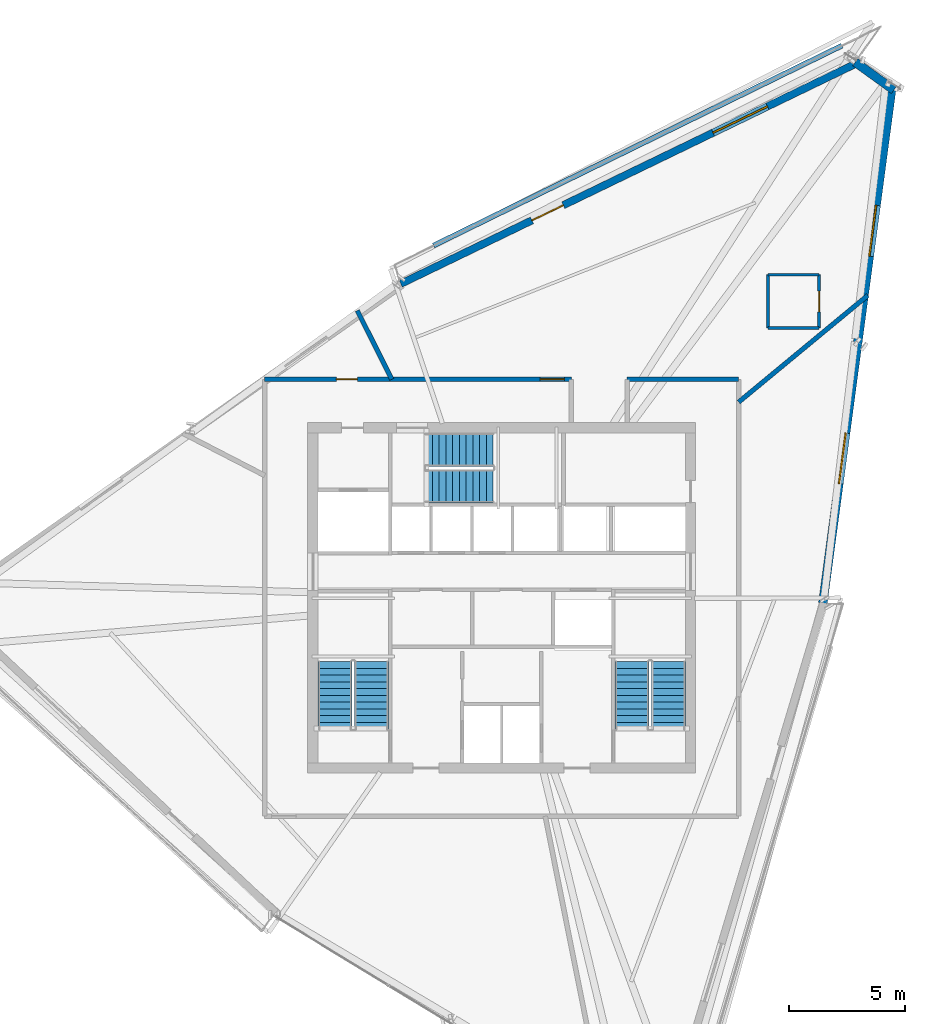
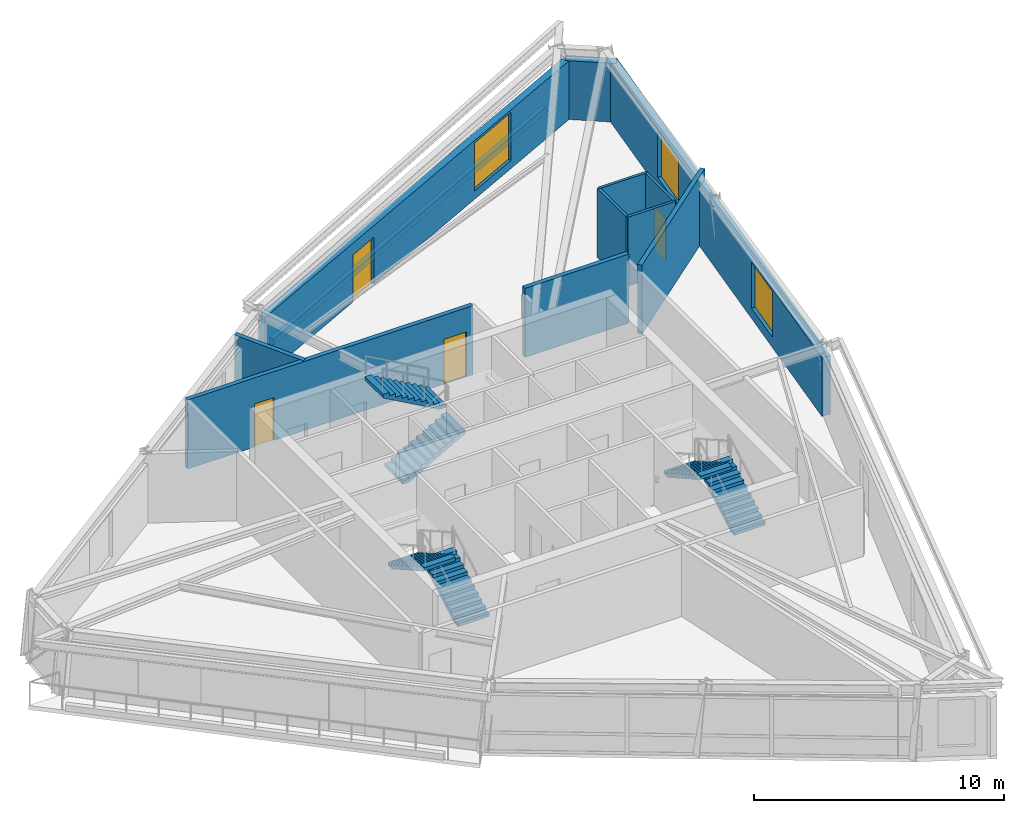
# One storey, part 11 of 14: 12 walls, 6 stair flights, 4 doors, 3 windows, 7 openings, 3 elements without a shape of their own.
"""IFC4 building model written with IfcOpenShell, lengths in metres."""

from ifc_helpers import new_model, si_unit, direction, frame, frame_2d, origin, place, context, subcontext, project, spatial, polyline, rectangle, outline, extrude, source, transform, mapped, material, layer, layer_set, type_object, type_shapes, element, fill, aggregate, save


model = new_model("IFC4")

# Units and contexts
model_context = context("Model", 3, precision=1e-05, world=origin(), true_north=direction((0.0, 1.0)))
body_context = subcontext(model_context, "Body", "Model", "MODEL_VIEW")
ifc_project = project(units=[si_unit("LENGTHUNIT", "METRE"), si_unit("AREAUNIT", "SQUARE_METRE"), si_unit("VOLUMEUNIT", "CUBIC_METRE"), si_unit("PLANEANGLEUNIT", "RADIAN"), si_unit("MASSUNIT", "GRAM", prefix="KILO")], contexts=[model_context])

# Site, building, storey
site_placement = place(None, origin())
site = spatial("IfcSite", under=ifc_project, at=site_placement, CompositionType="ELEMENT")
building_placement = place(site_placement, origin())
building = spatial("IfcBuilding", under=site, at=building_placement, Name="Olszyna Solenne Hotel", CompositionType="ELEMENT")
storey_placement = place(building_placement, frame((0.0, 0.0, 256.10009765625)))
storey = spatial("IfcBuildingStorey", under=building, at=storey_placement, Name="L68", CompositionType="ELEMENT", Elevation=256.10009765625)

# Wall, openings, door, window
ifc_material_1 = material(Name="Precast concrete C45/55", Category="concrete")
ifc_layer_1 = layer(ifc_material_1, 0.320068359375, Name="Precast concrete C45/55")
ifc_layer_set_1 = layer_set([ifc_layer_1], Name="Precast concrete C45/55")
wall_type_1 = type_object("IfcWallType", Name="WL-EX320", PredefinedType="SOLIDWALL", material=ifc_layer_set_1)
wall_1_placement = place(storey_placement, frame((33.655517578125, 40.11572265625, 0.0), z_axis=(0.0, 0.0, 1.0), x_axis=(0.900227808342, 0.43541921534, 0.0)))
wall_1 = element("IfcWall", 1, at=wall_1_placement, inside=storey, type_object=wall_type_1, Name="Exterior terracotta-precast frame wall WL-EX320 EW-L68-08", PredefinedType="SOLIDWALL", context=body_context, shape_type="SweptSolid", body=[
    extrude(rectangle(XDim=21.9306640625, YDim=0.320068359375, at=frame_2d((10.96533203125, 0.0))), origin(), (0.0, 0.0, 1.0), 2.871826171875),
])
opening_1_placement = place(wall_1_placement, frame((6.26806640625, 0.0, 0.0)))
opening_1 = element("IfcOpeningElement", 2, at=opening_1_placement, cuts=wall_1, Name="Opening LDG-L68-1", PredefinedType="OPENING", context=body_context, shape_type="SweptSolid", body=[
    extrude(rectangle(XDim=1.5, YDim=2.300048828125, at=frame_2d((0.75, 1.14990234375))), frame((0.0, 0.169921875, 0.0), z_axis=(0.0, -1.0, 0.0), x_axis=(1.0, 0.0, 0.0)), (0.0, 0.0, 1.0), 0.340087890625),
])
opening_2_placement = place(wall_1_placement, frame((14.928955078125, 0.0, 0.402099609375)))
opening_2 = element("IfcOpeningElement", 3, at=opening_2_placement, cuts=wall_1, Name="Opening WN-L68-453", PredefinedType="OPENING", context=body_context, shape_type="SweptSolid", body=[
    extrude(rectangle(XDim=2.60009765625, YDim=2.35009765625, at=frame_2d((1.300048828125, 1.175048828125))), frame((0.0, 0.169921875, 0.0), z_axis=(0.0, -1.0, 0.0), x_axis=(1.0, 0.0, 0.0)), (0.0, 0.0, 1.0), 0.340087890625),
])
ifc_material_2 = material(Name="Anodised bronze aluminium", Category="aluminium")
door_type_1 = type_object("IfcDoorType", Name="DR-LG2", OperationType="DOUBLE_DOOR_SINGLE_SWING", PredefinedType="DOOR", material=ifc_material_2)
shared_shape_1 = source(origin(), body_context, "Body", "SweptSolid", [
    extrude(rectangle(XDim=1.5, YDim=2.300048828125, at=frame_2d((0.75, 1.14990234375))), frame((0.0, 0.02490234375, 0.0), z_axis=(0.0, -1.0, 0.0), x_axis=(1.0, 0.0, 0.0)), (0.0, 0.0, 1.0), 0.050048828125),
])
type_shapes(door_type_1, [shared_shape_1])
door_1_placement = place(opening_1_placement, origin())
door_1 = element("IfcDoor", 4, at=door_1_placement, inside=storey, type_object=door_type_1, Name="Exterior loggia balcony door DR-LG2 LDG-L68-1", OperationType="DOUBLE_DOOR_SINGLE_SWING", OverallHeight=2.300048828125, OverallWidth=1.5, PredefinedType="DOOR", context=body_context, shape_type="MappedRepresentation", body=[
    mapped(shared_shape_1, transform((0.0, 0.0, 0.0), x_axis=(1.0, 0.0, 0.0), y_axis=(0.0, 1.0, 0.0), z_axis=(0.0, 0.0, 1.0), scale=1.0)),
])
fill(opening_1, door_1)
ifc_material_3 = material(Name="Low-E triple glazing", Category="glass")
window_type_1 = type_object("IfcWindowType", Name="WN-ST1", PartitioningType="SINGLE_PANEL", PredefinedType="WINDOW", material=ifc_material_3)
shared_shape_2 = source(origin(), body_context, "Body", "SweptSolid", [
    extrude(rectangle(XDim=2.60009765625, YDim=2.35009765625, at=frame_2d((1.300048828125, 1.175048828125))), frame((0.0, 0.030029296875, 0.0), z_axis=(0.0, -1.0, 0.0), x_axis=(1.0, 0.0, 0.0)), (0.0, 0.0, 1.0), 0.06005859375),
])
type_shapes(window_type_1, [shared_shape_2])
window_1_placement = place(opening_2_placement, origin())
window_1 = element("IfcWindow", 5, at=window_1_placement, inside=storey, type_object=window_type_1, Name="Loggia room window WN-ST1 WN-L68-453", OverallHeight=2.35009765625, OverallWidth=2.60009765625, PartitioningType="SINGLE_PANEL", PredefinedType="WINDOW", context=body_context, shape_type="MappedRepresentation", body=[
    mapped(shared_shape_2, transform((0.0, 0.0, 0.0), x_axis=(1.0, 0.0, 0.0), y_axis=(0.0, 1.0, 0.0), z_axis=(0.0, 0.0, 1.0), scale=1.0)),
])
fill(opening_2, window_1)

# Wall
ifc_material_4 = material(Name="Terracotta cladding on precast concrete C45/55", Category="masonry")
ifc_layer_2 = layer(ifc_material_4, 0.3798828125, Name="Terracotta cladding on precast concrete C45/55")
ifc_layer_set_2 = layer_set([ifc_layer_2], Name="Terracotta cladding on precast concrete C45/55")
wall_type_2 = type_object("IfcWallType", Name="WL-EX380", PredefinedType="SOLIDWALL", material=ifc_layer_set_2)
wall_2_placement = place(storey_placement, frame((53.21728515625, 49.65478515625, 0.0), z_axis=(0.0, 0.0, 1.0), x_axis=(0.810559910153, -0.585655728267, 0.0)))
element("IfcWall", 6, at=wall_2_placement, inside=storey, type_object=wall_type_2, Name="Exterior terracotta-precast frame wall WL-EX380 EW-L68-09", PredefinedType="SOLIDWALL", context=body_context, shape_type="SweptSolid", body=[
    extrude(rectangle(XDim=2.050537109375, YDim=0.3798828125, at=frame_2d((1.025390625, 0.0))), origin(), (0.0, 0.0, 1.0), 2.871826171875),
])

# Wall, openings, windows
wall_3_placement = place(storey_placement, frame((54.802490234375, 48.633056640625, 0.0), z_axis=(0.0, 0.0, 1.0), x_axis=(-0.132568870199, -0.991173796392, 0.0)))
wall_3 = element("IfcWall", 7, at=wall_3_placement, inside=storey, type_object=wall_type_2, Name="Exterior terracotta-precast frame wall WL-EX380 EW-L68-10", PredefinedType="SOLIDWALL", context=body_context, shape_type="SweptSolid", body=[
    extrude(rectangle(XDim=22.45849609375, YDim=0.3798828125, at=frame_2d((11.229248046875, 0.0))), origin(), (0.0, 0.0, 1.0), 2.871826171875),
])
opening_3_placement = place(wall_3_placement, frame((5.18798828125, 0.0, 0.501953125)))
opening_3 = element("IfcOpeningElement", 8, at=opening_3_placement, cuts=wall_3, Name="Opening WN-L68-454", PredefinedType="OPENING", context=body_context, shape_type="SweptSolid", body=[
    extrude(rectangle(XDim=2.199951171875, YDim=2.25, at=frame_2d((1.10009765625, 1.125))), frame((0.0, 0.199951171875, 0.0), z_axis=(0.0, -1.0, 0.0), x_axis=(1.0, 0.0, 0.0)), (0.0, 0.0, 1.0), 0.39990234375),
])
opening_4_placement = place(wall_3_placement, frame((15.070068359375, 0.0, 0.501953125)))
opening_4 = element("IfcOpeningElement", 9, at=opening_4_placement, cuts=wall_3, Name="Opening WN-L68-455", PredefinedType="OPENING", context=body_context, shape_type="SweptSolid", body=[
    extrude(rectangle(XDim=2.199951171875, YDim=2.25, at=frame_2d((1.10009765625, 1.125))), frame((0.0, 0.199951171875, 0.0), z_axis=(0.0, -1.0, 0.0), x_axis=(1.0, 0.0, 0.0)), (0.0, 0.0, 1.0), 0.39990234375),
])
window_type_2 = type_object("IfcWindowType", Name="WN-HT2", PartitioningType="SINGLE_PANEL", PredefinedType="WINDOW", material=ifc_material_3)
shared_shape_3 = source(origin(), body_context, "Body", "SweptSolid", [
    extrude(rectangle(XDim=2.199951171875, YDim=2.25, at=frame_2d((1.10009765625, 1.125))), frame((0.0, 0.030029296875, 0.0), z_axis=(0.0, -1.0, 0.0), x_axis=(1.0, 0.0, 0.0)), (0.0, 0.0, 1.0), 0.06005859375),
])
type_shapes(window_type_2, [shared_shape_3])
window_2_placement = place(opening_3_placement, origin())
window_2 = element("IfcWindow", 10, at=window_2_placement, inside=storey, type_object=window_type_2, Name="Exterior facade window WN-HT2 WN-L68-454", OverallHeight=2.25, OverallWidth=2.199951171875, PartitioningType="SINGLE_PANEL", PredefinedType="WINDOW", context=body_context, shape_type="MappedRepresentation", body=[
    mapped(shared_shape_3, transform((0.0, 0.0, 0.0), x_axis=(1.0, 0.0, 0.0), y_axis=(0.0, 1.0, 0.0), z_axis=(0.0, 0.0, 1.0), scale=1.0)),
])
fill(opening_3, window_2)
window_3_placement = place(opening_4_placement, origin())
window_3 = element("IfcWindow", 11, at=window_3_placement, inside=storey, type_object=window_type_2, Name="Exterior facade window WN-HT2 WN-L68-455", OverallHeight=2.25, OverallWidth=2.199951171875, PartitioningType="SINGLE_PANEL", PredefinedType="WINDOW", context=body_context, shape_type="MappedRepresentation", body=[
    mapped(shared_shape_3, transform((0.0, 0.0, 0.0), x_axis=(1.0, 0.0, 0.0), y_axis=(0.0, 1.0, 0.0), z_axis=(0.0, 0.0, 1.0), scale=1.0)),
])
fill(opening_4, window_3)

# Wall
ifc_layer_3 = layer(ifc_material_1, 0.219970703125, Name="Precast concrete C45/55")
ifc_layer_set_3 = layer_set([ifc_layer_3], Name="Precast concrete C45/55")
wall_type_3 = type_object("IfcWallType", Name="WL-PR220", PredefinedType="PARAPET", material=ifc_layer_set_3)
wall_4_placement = place(storey_placement, frame((52.638916015625, 50.365234375, 0.0), z_axis=(0.0, 0.0, 1.0), x_axis=(-0.89814586726, -0.439697624652, 0.0)))
element("IfcWall", 12, at=wall_4_placement, inside=storey, type_object=wall_type_3, Name="Loggia balcony precast kerb PR-L68-LG1", PredefinedType="PARAPET", context=body_context, shape_type="SweptSolid", body=[
    extrude(rectangle(XDim=19.569580078125, YDim=0.219970703125, at=frame_2d((9.78466796875, 0.0))), origin(), (0.0, 0.0, 1.0), 0.2998046875),
])

# Wall, opening, door
ifc_material_5 = material(Name="Acoustic gypsum partition", Category="gypsum")
ifc_layer_4 = layer(ifc_material_5, 0.125, Name="Acoustic gypsum partition")
ifc_layer_set_4 = layer_set([ifc_layer_4], Name="Acoustic gypsum partition")
wall_type_4 = type_object("IfcWallType", Name="WL-PT125", PredefinedType="PARTITIONING", material=ifc_layer_set_4)
wall_5_placement = place(storey_placement, frame((51.659912109375, 38.205078125, 0.0), z_axis=(0.0, 0.0, 1.0), x_axis=(0.0, 1.0, 0.0)))
wall_5 = element("IfcWall", 13, at=wall_5_placement, inside=storey, type_object=wall_type_4, Name="Interior acoustic partition WL-PT125 PW-L68-3793", PredefinedType="PARTITIONING", context=body_context, shape_type="SweptSolid", body=[
    extrude(rectangle(XDim=2.2998046875, YDim=0.125, at=frame_2d((1.14990234375, 0.0))), origin(), (0.0, 0.0, 1.0), 3.3798828125),
])
opening_5_placement = place(wall_5_placement, frame((0.699951171875, 0.0, 0.0)))
opening_5 = element("IfcOpeningElement", 14, at=opening_5_placement, cuts=wall_5, Name="Opening DR-L68-0926", PredefinedType="OPENING", context=body_context, shape_type="SweptSolid", body=[
    extrude(rectangle(XDim=0.89990234375, YDim=2.10009765625, at=frame_2d((0.449951171875, 1.050048828125))), frame((0.0, 0.072509765625, 0.0), z_axis=(0.0, -1.0, 0.0), x_axis=(1.0, 0.0, 0.0)), (0.0, 0.0, 1.0), 0.14501953125),
])
ifc_material_6 = material(Name="Timber hardwood", Category="wood")
door_type_2 = type_object("IfcDoorType", Name="DR-WC1", OperationType="NOTDEFINED", PredefinedType="DOOR", material=ifc_material_6)
shared_shape_4 = source(origin(), body_context, "Body", "SweptSolid", [
    extrude(rectangle(XDim=0.89990234375, YDim=2.10009765625, at=frame_2d((0.449951171875, 1.050048828125))), frame((0.0, 0.02490234375, 0.0), z_axis=(0.0, -1.0, 0.0), x_axis=(1.0, 0.0, 0.0)), (0.0, 0.0, 1.0), 0.050048828125),
])
type_shapes(door_type_2, [shared_shape_4])
door_2_placement = place(opening_5_placement, origin())
door_2 = element("IfcDoor", 15, at=door_2_placement, inside=storey, type_object=door_type_2, Name="En-Suite Bathroom Door DR-L68-0926", OperationType="SINGLE_SWING_LEFT", OverallHeight=2.10009765625, OverallWidth=0.89990234375, PredefinedType="DOOR", context=body_context, shape_type="MappedRepresentation", body=[
    mapped(shared_shape_4, transform((0.0, 0.0, 0.0), x_axis=(1.0, 0.0, 0.0), y_axis=(0.0, 1.0, 0.0), z_axis=(0.0, 0.0, 1.0), scale=1.0)),
])
fill(opening_5, door_2)

# Walls
wall_6_placement = place(storey_placement, frame((51.659912109375, 40.5048828125, 0.0), z_axis=(0.0, 0.0, 1.0), x_axis=(-1.0, 0.0, 0.0)))
element("IfcWall", 16, at=wall_6_placement, inside=storey, type_object=wall_type_4, Name="Interior acoustic partition WL-PT125 PW-L68-3794", PredefinedType="PARTITIONING", context=body_context, shape_type="SweptSolid", body=[
    extrude(rectangle(XDim=2.199951171875, YDim=0.125, at=frame_2d((1.10009765625, 0.0))), origin(), (0.0, 0.0, 1.0), 3.3798828125),
])
wall_7_placement = place(storey_placement, frame((49.4599609375, 40.5048828125, 0.0), z_axis=(0.0, 0.0, 1.0), x_axis=(0.0, -1.0, 0.0)))
element("IfcWall", 17, at=wall_7_placement, inside=storey, type_object=wall_type_4, Name="Interior acoustic partition WL-PT125 PW-L68-3795", PredefinedType="PARTITIONING", context=body_context, shape_type="SweptSolid", body=[
    extrude(rectangle(XDim=2.2998046875, YDim=0.125, at=frame_2d((1.14990234375, 0.0))), origin(), (0.0, 0.0, 1.0), 3.3798828125),
])
wall_8_placement = place(storey_placement, frame((49.4599609375, 38.205078125, 0.0), z_axis=(0.0, 0.0, 1.0), x_axis=(1.0, 0.0, 0.0)))
element("IfcWall", 18, at=wall_8_placement, inside=storey, type_object=wall_type_4, Name="Interior acoustic partition WL-PT125 PW-L68-3796", PredefinedType="PARTITIONING", context=body_context, shape_type="SweptSolid", body=[
    extrude(rectangle(XDim=2.199951171875, YDim=0.125, at=frame_2d((1.10009765625, 0.0))), origin(), (0.0, 0.0, 1.0), 3.3798828125),
])
ifc_layer_5 = layer(ifc_material_5, 0.199951171875, Name="Acoustic gypsum partition")
ifc_layer_set_5 = layer_set([ifc_layer_5], Name="Acoustic gypsum partition")
wall_type_5 = type_object("IfcWallType", Name="WL-PT200", PredefinedType="PARTITIONING", material=ifc_layer_set_5)
wall_9_placement = place(storey_placement, frame((48.199951171875, 35.025390625, 0.0), z_axis=(0.0, 0.0, 1.0), x_axis=(0.77099284028, 0.636843811493, 0.0)))
element("IfcWall", 19, at=wall_9_placement, inside=storey, type_object=wall_type_5, Name="Interior acoustic partition WL-PT200 PW-L68-3791", PredefinedType="PARTITIONING", context=body_context, shape_type="SweptSolid", body=[
    extrude(rectangle(XDim=7.208740234375, YDim=0.199951171875, at=frame_2d((3.6044921875, 0.0))), origin(), (0.0, 0.0, 1.0), 3.3798828125),
])
wall_10_placement = place(storey_placement, frame((33.272216796875, 36.0, 0.0), z_axis=(0.0, 0.0, 1.0), x_axis=(-0.449277368576, 0.893392324841, 0.0)))
element("IfcWall", 20, at=wall_10_placement, inside=storey, type_object=wall_type_5, Name="Interior acoustic partition WL-PT200 PW-L68-3792", PredefinedType="PARTITIONING", context=body_context, shape_type="SweptSolid", body=[
    extrude(rectangle(XDim=3.310546875, YDim=0.199951171875, at=frame_2d((1.6552734375, 0.0))), origin(), (0.0, 0.0, 1.0), 3.3798828125),
])

# Wall, openings, doors
wall_11_placement = place(storey_placement, frame((27.800048828125, 36.0, 0.0), z_axis=(0.0, 0.0, 1.0), x_axis=(1.0, 0.0, 0.0)))
wall_11 = element("IfcWall", 21, at=wall_11_placement, inside=storey, type_object=wall_type_5, Name="Interior acoustic partition WL-PT200 PW-L68-3799", PredefinedType="PARTITIONING", context=body_context, shape_type="SweptSolid", body=[
    extrude(rectangle(XDim=13.199951171875, YDim=0.199951171875, at=frame_2d((6.60009765625, 0.0))), origin(), (0.0, 0.0, 1.0), 3.3798828125),
])
opening_6_placement = place(wall_11_placement, frame((11.85009765625, 0.0, 0.0)))
opening_6 = element("IfcOpeningElement", 22, at=opening_6_placement, cuts=wall_11, Name="Opening DR-L68-0928", PredefinedType="OPENING", context=body_context, shape_type="SweptSolid", body=[
    extrude(rectangle(XDim=1.050048828125, YDim=2.199951171875, at=frame_2d((0.52490234375, 1.10009765625))), frame((0.0, 0.10986328125, 0.0), z_axis=(0.0, -1.0, 0.0), x_axis=(1.0, 0.0, 0.0)), (0.0, 0.0, 1.0), 0.219970703125),
])
opening_7_placement = place(wall_11_placement, frame((3.0830078125, 0.0, 0.0)))
opening_7 = element("IfcOpeningElement", 23, at=opening_7_placement, cuts=wall_11, Name="Opening DR-L68-0929", PredefinedType="OPENING", context=body_context, shape_type="SweptSolid", body=[
    extrude(rectangle(XDim=0.89990234375, YDim=2.10009765625, at=frame_2d((0.449951171875, 1.050048828125))), frame((0.0, 0.10986328125, 0.0), z_axis=(0.0, -1.0, 0.0), x_axis=(1.0, 0.0, 0.0)), (0.0, 0.0, 1.0), 0.219970703125),
])
door_3_placement = place(opening_7_placement, origin())
door_3 = element("IfcDoor", 24, at=door_3_placement, inside=storey, type_object=door_type_2, Name="Accessible Public WC Entrance Door DR-L68-0929", OperationType="SINGLE_SWING_RIGHT", OverallHeight=2.10009765625, OverallWidth=0.89990234375, PredefinedType="DOOR", context=body_context, shape_type="MappedRepresentation", body=[
    mapped(shared_shape_4, transform((0.0, 0.0, 0.0), x_axis=(1.0, 0.0, 0.0), y_axis=(0.0, 1.0, 0.0), z_axis=(0.0, 0.0, 1.0), scale=1.0)),
])
fill(opening_7, door_3)
door_type_3 = type_object("IfcDoorType", Name="DR-RM2", OperationType="NOTDEFINED", PredefinedType="DOOR", material=ifc_material_6)
shared_shape_5 = source(origin(), body_context, "Body", "SweptSolid", [
    extrude(rectangle(XDim=1.050048828125, YDim=2.199951171875, at=frame_2d((0.52490234375, 1.10009765625))), frame((0.0, 0.02490234375, 0.0), z_axis=(0.0, -1.0, 0.0), x_axis=(1.0, 0.0, 0.0)), (0.0, 0.0, 1.0), 0.050048828125),
])
type_shapes(door_type_3, [shared_shape_5])
door_4_placement = place(opening_6_placement, origin())
door_4 = element("IfcDoor", 25, at=door_4_placement, inside=storey, type_object=door_type_3, Name="Corner Panorama Suite Entrance Door DR-L68-0928", OperationType="SINGLE_SWING_LEFT", OverallHeight=2.199951171875, OverallWidth=1.050048828125, PredefinedType="DOOR", context=body_context, shape_type="MappedRepresentation", body=[
    mapped(shared_shape_5, transform((0.0, 0.0, 0.0), x_axis=(1.0, 0.0, 0.0), y_axis=(0.0, 1.0, 0.0), z_axis=(0.0, 0.0, 1.0), scale=1.0)),
])
fill(opening_6, door_4)

# Wall
wall_12_placement = place(storey_placement, frame((43.39990234375, 36.0, 0.0), z_axis=(0.0, 0.0, 1.0), x_axis=(1.0, 0.0, 0.0)))
element("IfcWall", 26, at=wall_12_placement, inside=storey, type_object=wall_type_5, Name="Interior acoustic partition WL-PT200 PW-L68-3801", PredefinedType="PARTITIONING", context=body_context, shape_type="SweptSolid", body=[
    extrude(rectangle(XDim=4.800048828125, YDim=0.199951171875, at=frame_2d((2.39990234375, 0.0))), origin(), (0.0, 0.0, 1.0), 3.3798828125),
])

# Stair, stair flights
ifc_material_7 = material(Name="Concrete C40/50", Category="concrete")
stair_type = type_object("IfcStairType", Name="STR-C1", PredefinedType="TWO_QUARTER_WINDING_STAIR", material=ifc_material_7)
stair_1_placement = place(storey_placement, origin())
stair_1 = element("IfcStair", 27, at=stair_1_placement, inside=storey, type_object=stair_type, Name="L68 ST1", PredefinedType="TWO_QUARTER_WINDING_STAIR")
stair_flight_type = type_object("IfcStairFlightType", Name="FLT-C1", PredefinedType="STRAIGHT", material=ifc_material_7)
stair_flight_1_placement = place(storey_placement, frame((32.39501953125, 20.949951171875, 0.0), z_axis=(0.0, 0.0, 1.0), x_axis=(0.0, 1.0, 0.0)))
stair_flight_1 = element("IfcStairFlight", 28, at=stair_flight_1_placement, type_object=stair_flight_type, Name="ST1 flight 1", NumberOfRisers=11, NumberOfTreads=10, PredefinedType="STRAIGHT", RiserHeight=0.163636364, TreadLength=0.29, context=body_context, shape_type="SweptSolid", body=[
    extrude(outline(polyline([(0.0, 0.0), (0.0, 0.16357421875), (0.2900390625, 0.16357421875), (0.2900390625, 0.327392578125), (0.580078125, 0.327392578125), (0.580078125, 0.490966796875), (0.8701171875, 0.490966796875), (0.8701171875, 0.654541015625), (1.159912109375, 0.654541015625), (1.159912109375, 0.818115234375), (1.449951171875, 0.818115234375), (1.449951171875, 0.98193359375), (1.739990234375, 0.98193359375), (1.739990234375, 1.1455078125), (2.030029296875, 1.1455078125), (2.030029296875, 1.30908203125), (2.320068359375, 1.30908203125), (2.320068359375, 1.47265625), (2.610107421875, 1.47265625), (2.610107421875, 1.636474609375), (2.89990234375, 1.636474609375), (2.89990234375, 1.800048828125), (2.89990234375, 1.46435546875), (0.304931640625, 0.0), (0.0, 0.0)])), frame((0.0, 0.72509765625, 0.0), z_axis=(0.0, -1.0, 0.0), x_axis=(1.0, 0.0, 0.0)), (0.0, 0.0, 1.0), 1.449951171875),
])
stair_flight_2_placement = place(storey_placement, frame((30.824951171875, 23.85009765625, 1.7998046875), z_axis=(0.0, 0.0, 1.0), x_axis=(0.0, -1.0, 0.0)))
stair_flight_2 = element("IfcStairFlight", 29, at=stair_flight_2_placement, type_object=stair_flight_type, Name="ST1 flight 2", NumberOfRisers=11, NumberOfTreads=10, PredefinedType="STRAIGHT", RiserHeight=0.163636364, TreadLength=0.29, context=body_context, shape_type="SweptSolid", body=[
    extrude(outline(polyline([(0.0, 0.0), (0.0, 0.16357421875), (0.2900390625, 0.16357421875), (0.2900390625, 0.327392578125), (0.580078125, 0.327392578125), (0.580078125, 0.490966796875), (0.8701171875, 0.490966796875), (0.8701171875, 0.654541015625), (1.159912109375, 0.654541015625), (1.159912109375, 0.818115234375), (1.449951171875, 0.818115234375), (1.449951171875, 0.98193359375), (1.739990234375, 0.98193359375), (1.739990234375, 1.1455078125), (2.030029296875, 1.1455078125), (2.030029296875, 1.30908203125), (2.320068359375, 1.30908203125), (2.320068359375, 1.47265625), (2.610107421875, 1.47265625), (2.610107421875, 1.636474609375), (2.89990234375, 1.636474609375), (2.89990234375, 1.800048828125), (2.89990234375, 1.46435546875), (0.304931640625, 0.0), (0.0, 0.0)])), frame((0.0, 0.72509765625, 0.0), z_axis=(0.0, -1.0, 0.0), x_axis=(1.0, 0.0, 0.0)), (0.0, 0.0, 1.0), 1.449951171875),
])
aggregate(stair_1, [stair_flight_1, stair_flight_2])

stair_2_placement = place(storey_placement, origin())
stair_2 = element("IfcStair", 30, at=stair_2_placement, inside=storey, type_object=stair_type, Name="L68 ST2", PredefinedType="TWO_QUARTER_WINDING_STAIR")
stair_flight_3_placement = place(storey_placement, frame((45.175048828125, 20.949951171875, 0.0), z_axis=(0.0, 0.0, 1.0), x_axis=(0.0, 1.0, 0.0)))
stair_flight_3 = element("IfcStairFlight", 31, at=stair_flight_3_placement, type_object=stair_flight_type, Name="ST2 flight 1", NumberOfRisers=11, NumberOfTreads=10, PredefinedType="STRAIGHT", RiserHeight=0.163636364, TreadLength=0.29, context=body_context, shape_type="SweptSolid", body=[
    extrude(outline(polyline([(0.0, 0.0), (0.0, 0.16357421875), (0.2900390625, 0.16357421875), (0.2900390625, 0.327392578125), (0.580078125, 0.327392578125), (0.580078125, 0.490966796875), (0.8701171875, 0.490966796875), (0.8701171875, 0.654541015625), (1.159912109375, 0.654541015625), (1.159912109375, 0.818115234375), (1.449951171875, 0.818115234375), (1.449951171875, 0.98193359375), (1.739990234375, 0.98193359375), (1.739990234375, 1.1455078125), (2.030029296875, 1.1455078125), (2.030029296875, 1.30908203125), (2.320068359375, 1.30908203125), (2.320068359375, 1.47265625), (2.610107421875, 1.47265625), (2.610107421875, 1.636474609375), (2.89990234375, 1.636474609375), (2.89990234375, 1.800048828125), (2.89990234375, 1.46435546875), (0.304931640625, 0.0), (0.0, 0.0)])), frame((0.0, 0.72509765625, 0.0), z_axis=(0.0, -1.0, 0.0), x_axis=(1.0, 0.0, 0.0)), (0.0, 0.0, 1.0), 1.449951171875),
])
stair_flight_4_placement = place(storey_placement, frame((43.60498046875, 23.85009765625, 1.7998046875), z_axis=(0.0, 0.0, 1.0), x_axis=(0.0, -1.0, 0.0)))
stair_flight_4 = element("IfcStairFlight", 32, at=stair_flight_4_placement, type_object=stair_flight_type, Name="ST2 flight 2", NumberOfRisers=11, NumberOfTreads=10, PredefinedType="STRAIGHT", RiserHeight=0.163636364, TreadLength=0.29, context=body_context, shape_type="SweptSolid", body=[
    extrude(outline(polyline([(0.0, 0.0), (0.0, 0.16357421875), (0.2900390625, 0.16357421875), (0.2900390625, 0.327392578125), (0.580078125, 0.327392578125), (0.580078125, 0.490966796875), (0.8701171875, 0.490966796875), (0.8701171875, 0.654541015625), (1.159912109375, 0.654541015625), (1.159912109375, 0.818115234375), (1.449951171875, 0.818115234375), (1.449951171875, 0.98193359375), (1.739990234375, 0.98193359375), (1.739990234375, 1.1455078125), (2.030029296875, 1.1455078125), (2.030029296875, 1.30908203125), (2.320068359375, 1.30908203125), (2.320068359375, 1.47265625), (2.610107421875, 1.47265625), (2.610107421875, 1.636474609375), (2.89990234375, 1.636474609375), (2.89990234375, 1.800048828125), (2.89990234375, 1.46435546875), (0.304931640625, 0.0), (0.0, 0.0)])), frame((0.0, 0.72509765625, 0.0), z_axis=(0.0, -1.0, 0.0), x_axis=(1.0, 0.0, 0.0)), (0.0, 0.0, 1.0), 1.449951171875),
])
aggregate(stair_2, [stair_flight_3, stair_flight_4])

stair_3_placement = place(storey_placement, origin())
stair_3 = element("IfcStair", 33, at=stair_3_placement, inside=storey, type_object=stair_type, Name="L68 ST3", PredefinedType="TWO_QUARTER_WINDING_STAIR")
stair_flight_5_placement = place(storey_placement, frame((34.72998046875, 31.405029296875, 0.0), z_axis=(0.0, 0.0, 1.0), x_axis=(1.0, 0.0, 0.0)))
stair_flight_5 = element("IfcStairFlight", 34, at=stair_flight_5_placement, type_object=stair_flight_type, Name="ST3 flight 1", NumberOfRisers=11, NumberOfTreads=10, PredefinedType="STRAIGHT", RiserHeight=0.163636364, TreadLength=0.29, context=body_context, shape_type="SweptSolid", body=[
    extrude(outline(polyline([(0.0, 0.0), (0.0, 0.16357421875), (0.2900390625, 0.16357421875), (0.2900390625, 0.327392578125), (0.580078125, 0.327392578125), (0.580078125, 0.490966796875), (0.8701171875, 0.490966796875), (0.8701171875, 0.654541015625), (1.159912109375, 0.654541015625), (1.159912109375, 0.818115234375), (1.449951171875, 0.818115234375), (1.449951171875, 0.98193359375), (1.739990234375, 0.98193359375), (1.739990234375, 1.1455078125), (2.030029296875, 1.1455078125), (2.030029296875, 1.30908203125), (2.320068359375, 1.30908203125), (2.320068359375, 1.47265625), (2.610107421875, 1.47265625), (2.610107421875, 1.636474609375), (2.89990234375, 1.636474609375), (2.89990234375, 1.800048828125), (2.89990234375, 1.46435546875), (0.304931640625, 0.0), (0.0, 0.0)])), frame((0.0, 0.72509765625, 0.0), z_axis=(0.0, -1.0, 0.0), x_axis=(1.0, 0.0, 0.0)), (0.0, 0.0, 1.0), 1.449951171875),
])
stair_flight_6_placement = place(storey_placement, frame((37.6298828125, 32.97509765625, 1.7998046875), z_axis=(0.0, 0.0, 1.0), x_axis=(-1.0, 0.0, 0.0)))
stair_flight_6 = element("IfcStairFlight", 35, at=stair_flight_6_placement, type_object=stair_flight_type, Name="ST3 flight 2", NumberOfRisers=11, NumberOfTreads=10, PredefinedType="STRAIGHT", RiserHeight=0.163636364, TreadLength=0.29, context=body_context, shape_type="SweptSolid", body=[
    extrude(outline(polyline([(0.0, 0.0), (0.0, 0.16357421875), (0.2900390625, 0.16357421875), (0.2900390625, 0.327392578125), (0.580078125, 0.327392578125), (0.580078125, 0.490966796875), (0.8701171875, 0.490966796875), (0.8701171875, 0.654541015625), (1.159912109375, 0.654541015625), (1.159912109375, 0.818115234375), (1.449951171875, 0.818115234375), (1.449951171875, 0.98193359375), (1.739990234375, 0.98193359375), (1.739990234375, 1.1455078125), (2.030029296875, 1.1455078125), (2.030029296875, 1.30908203125), (2.320068359375, 1.30908203125), (2.320068359375, 1.47265625), (2.610107421875, 1.47265625), (2.610107421875, 1.636474609375), (2.89990234375, 1.636474609375), (2.89990234375, 1.800048828125), (2.89990234375, 1.46435546875), (0.304931640625, 0.0), (0.0, 0.0)])), frame((0.0, 0.72509765625, 0.0), z_axis=(0.0, -1.0, 0.0), x_axis=(1.0, 0.0, 0.0)), (0.0, 0.0, 1.0), 1.449951171875),
])
aggregate(stair_3, [stair_flight_5, stair_flight_6])

save(model, "model.ifc")
